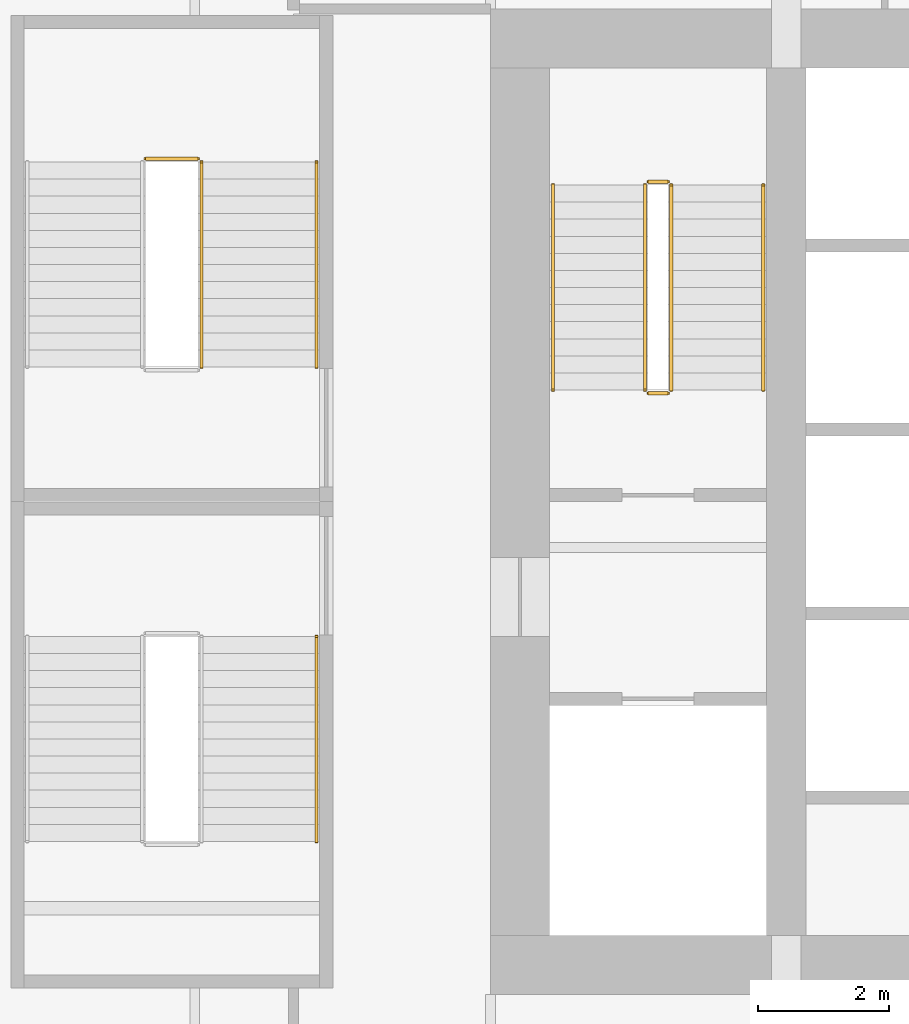
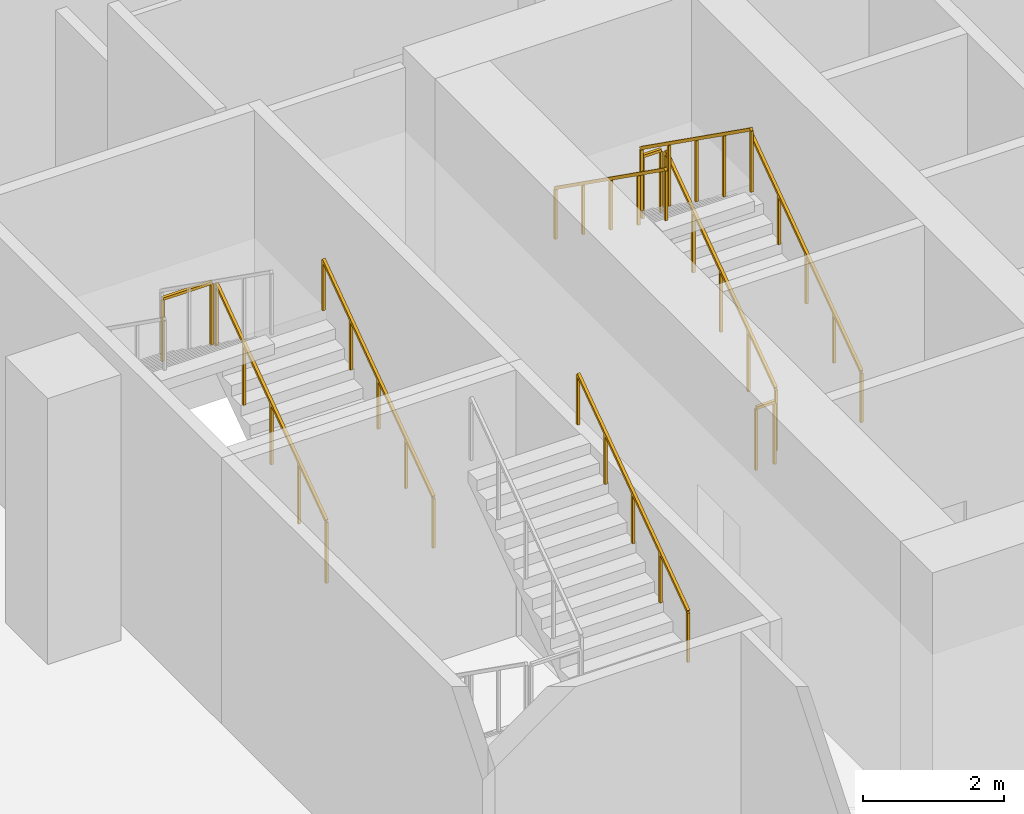
# One storey, part 26 of 28: 10 railings.
"""IFC4 building model written with IfcOpenShell, lengths in metres."""

from ifc_helpers import new_model, si_unit, direction, frame, origin, origin_2d, place, context, subcontext, project, spatial, rectangle, extrude, material, type_object, element, save


model = new_model("IFC4")

# Units and contexts
model_context = context("Model", 3, precision=1e-05, world=origin(), true_north=direction((0.0, 1.0)))
body_context = subcontext(model_context, "Body", "Model", "MODEL_VIEW")
ifc_project = project(units=[si_unit("LENGTHUNIT", "METRE"), si_unit("AREAUNIT", "SQUARE_METRE"), si_unit("VOLUMEUNIT", "CUBIC_METRE"), si_unit("PLANEANGLEUNIT", "RADIAN"), si_unit("MASSUNIT", "GRAM", prefix="KILO")], contexts=[model_context])

# Site, building, storey
site_placement = place(None, origin())
site = spatial("IfcSite", under=ifc_project, at=site_placement, CompositionType="ELEMENT")
building_placement = place(site_placement, origin())
building = spatial("IfcBuilding", under=site, at=building_placement, Name="Rattan Terrace Tower", CompositionType="ELEMENT")
storey_placement = place(building_placement, frame((0.0, 0.0, 17.39990234375)))
storey = spatial("IfcBuildingStorey", under=building, at=storey_placement, Name="L03", CompositionType="ELEMENT", Elevation=17.39990234375)

# Railings
ifc_material_1 = material(Name="Powder-coated steel guard", Category="steel")
railing_type_1 = type_object("IfcRailingType", Name="Core stair guard", PredefinedType="GUARDRAIL", material=ifc_material_1)
railing_1_placement = place(storey_placement, frame((-15.25, 1.699951171875, 0.184814453125)))
element("IfcRailing", 1, at=railing_1_placement, inside=storey, type_object=railing_type_1, Name="L03 S1 stair guard 1", PredefinedType="GUARDRAIL", context=body_context, shape_type="SweptSolid", body=[
    extrude(rectangle(XDim=0.048095703125, YDim=0.048095703125, at=origin_2d()), frame((0.0, 0.0, 1.076171875), z_axis=(0.0, 0.815376961211, 0.578930402662), x_axis=(-1.0, 0.0, 0.0)), (0.0, 0.0, 1.0), 3.82666015625),
    extrude(rectangle(XDim=0.0419921875, YDim=0.0419921875, at=origin_2d()), origin(), (0.0, 0.0, 1.0), 1.052001953125),
    extrude(rectangle(XDim=0.0419921875, YDim=0.0419921875, at=origin_2d()), frame((0.0, 0.780029296875, 0.5537109375)), (0.0, 0.0, 1.0), 1.052001953125),
    extrude(rectangle(XDim=0.0419921875, YDim=0.0419921875, at=origin_2d()), frame((0.0, 1.56005859375, 1.107666015625)), (0.0, 0.0, 1.0), 1.052001953125),
    extrude(rectangle(XDim=0.0419921875, YDim=0.0419921875, at=origin_2d()), frame((0.0, 2.340087890625, 1.66162109375)), (0.0, 0.0, 1.0), 1.052001953125),
    extrude(rectangle(XDim=0.0419921875, YDim=0.0419921875, at=origin_2d()), frame((0.0, 3.1201171875, 2.21533203125)), (0.0, 0.0, 1.0), 1.052001953125),
])
railing_2_placement = place(storey_placement, frame((-15.300048828125, 4.8701171875, 2.400146484375)))
element("IfcRailing", 2, at=railing_2_placement, inside=storey, type_object=railing_type_1, Name="L03 S1 stair guard 2", PredefinedType="GUARDRAIL", context=body_context, shape_type="SweptSolid", body=[
    extrude(rectangle(XDim=0.048095703125, YDim=0.048095703125, at=origin_2d()), frame((0.0, 0.0, 1.076171875), z_axis=(-1.0, 0.0, 0.0), x_axis=(0.0, -1.0, 0.0)), (0.0, 0.0, 1.0), 0.300048828125),
    extrude(rectangle(XDim=0.0419921875, YDim=0.0419921875, at=origin_2d()), origin(), (0.0, 0.0, 1.0), 1.052001953125),
    extrude(rectangle(XDim=0.0419921875, YDim=0.0419921875, at=origin_2d()), frame((-0.300048828125, 0.0, 0.0)), (0.0, 0.0, 1.0), 1.052001953125),
])
railing_3_placement = place(storey_placement, frame((-15.64990234375, 4.820068359375, 2.584716796875)))
element("IfcRailing", 3, at=railing_3_placement, inside=storey, type_object=railing_type_1, Name="L03 S1 stair guard 3", PredefinedType="GUARDRAIL", context=body_context, shape_type="SweptSolid", body=[
    extrude(rectangle(XDim=0.048095703125, YDim=0.048095703125, at=origin_2d()), frame((0.0, 0.0, 1.076171875), z_axis=(0.0, -0.815376961211, 0.578930402662), x_axis=(1.0, 0.0, 0.0)), (0.0, 0.0, 1.0), 3.82666015625),
    extrude(rectangle(XDim=0.0419921875, YDim=0.0419921875, at=origin_2d()), origin(), (0.0, 0.0, 1.0), 1.052001953125),
    extrude(rectangle(XDim=0.0419921875, YDim=0.0419921875, at=origin_2d()), frame((0.0, -0.780029296875, 0.5537109375)), (0.0, 0.0, 1.0), 1.052001953125),
    extrude(rectangle(XDim=0.0419921875, YDim=0.0419921875, at=origin_2d()), frame((0.0, -1.56005859375, 1.107666015625)), (0.0, 0.0, 1.0), 1.052001953125),
    extrude(rectangle(XDim=0.0419921875, YDim=0.0419921875, at=origin_2d()), frame((0.0, -2.340087890625, 1.66162109375)), (0.0, 0.0, 1.0), 1.052001953125),
    extrude(rectangle(XDim=0.0419921875, YDim=0.0419921875, at=origin_2d()), frame((0.0, -3.1201171875, 2.21533203125)), (0.0, 0.0, 1.0), 1.052001953125),
])
railing_4_placement = place(storey_placement, frame((-15.300048828125, 1.64990234375, 0.0)))
element("IfcRailing", 4, at=railing_4_placement, inside=storey, type_object=railing_type_1, Name="L03 S1 stair guard 4", PredefinedType="GUARDRAIL", context=body_context, shape_type="SweptSolid", body=[
    extrude(rectangle(XDim=0.048095703125, YDim=0.048095703125, at=origin_2d()), frame((0.0, 0.0, 1.076171875), z_axis=(-1.0, 0.0, 0.0), x_axis=(0.0, -1.0, 0.0)), (0.0, 0.0, 1.0), 0.300048828125),
    extrude(rectangle(XDim=0.0419921875, YDim=0.0419921875, at=origin_2d()), origin(), (0.0, 0.0, 1.0), 1.052001953125),
    extrude(rectangle(XDim=0.0419921875, YDim=0.0419921875, at=origin_2d()), frame((-0.300048828125, 0.0, 0.0)), (0.0, 0.0, 1.0), 1.052001953125),
])
railing_5_placement = place(storey_placement, frame((-22.39990234375, 2.050048828125, 0.184814453125)))
element("IfcRailing", 5, at=railing_5_placement, inside=storey, type_object=railing_type_1, Name="L03 S5 stair guard 1", PredefinedType="GUARDRAIL", context=body_context, shape_type="SweptSolid", body=[
    extrude(rectangle(XDim=0.048095703125, YDim=0.048095703125, at=origin_2d()), frame((0.0, 0.0, 1.076171875), z_axis=(0.0, 0.815355575968, 0.57896052088), x_axis=(-1.0, 0.0, 0.0)), (0.0, 0.0, 1.0), 3.826416015625),
    extrude(rectangle(XDim=0.0419921875, YDim=0.0419921875, at=origin_2d()), origin(), (0.0, 0.0, 1.0), 1.052001953125),
    extrude(rectangle(XDim=0.0419921875, YDim=0.0419921875, at=origin_2d()), frame((0.0, 0.780029296875, 0.5537109375)), (0.0, 0.0, 1.0), 1.052001953125),
    extrude(rectangle(XDim=0.0419921875, YDim=0.0419921875, at=origin_2d()), frame((0.0, 1.56005859375, 1.107666015625)), (0.0, 0.0, 1.0), 1.052001953125),
    extrude(rectangle(XDim=0.0419921875, YDim=0.0419921875, at=origin_2d()), frame((0.0, 2.33984375, 1.66162109375)), (0.0, 0.0, 1.0), 1.052001953125),
    extrude(rectangle(XDim=0.0419921875, YDim=0.0419921875, at=origin_2d()), frame((0.0, 3.119873046875, 2.21533203125)), (0.0, 0.0, 1.0), 1.052001953125),
])
railing_6_placement = place(storey_placement, frame((-22.449951171875, 5.219970703125, 2.400146484375)))
element("IfcRailing", 6, at=railing_6_placement, inside=storey, type_object=railing_type_1, Name="L03 S5 stair guard 2", PredefinedType="GUARDRAIL", context=body_context, shape_type="SweptSolid", body=[
    extrude(rectangle(XDim=0.048095703125, YDim=0.048095703125, at=origin_2d()), frame((0.0, 0.0, 1.076171875), z_axis=(-1.0, 0.0, 0.0), x_axis=(0.0, -1.0, 0.0)), (0.0, 0.0, 1.0), 0.800048828125),
    extrude(rectangle(XDim=0.0419921875, YDim=0.0419921875, at=origin_2d()), origin(), (0.0, 0.0, 1.0), 1.052001953125),
    extrude(rectangle(XDim=0.0419921875, YDim=0.0419921875, at=origin_2d()), frame((-0.800048828125, 0.0, 0.0)), (0.0, 0.0, 1.0), 1.052001953125),
])
ifc_material_2 = material(Name="Powder-coated steel handrail", Category="steel")
railing_type_2 = type_object("IfcRailingType", Name="Core stair handrail", PredefinedType="HANDRAIL", material=ifc_material_2)
railing_7_placement = place(storey_placement, frame((-13.85009765625, 1.699951171875, 0.184814453125)))
element("IfcRailing", 7, at=railing_7_placement, inside=storey, type_object=railing_type_2, Name="L03 S1 stair handrail 1", PredefinedType="HANDRAIL", context=body_context, shape_type="SweptSolid", body=[
    extrude(rectangle(XDim=0.048095703125, YDim=0.048095703125, at=origin_2d()), frame((0.0, 0.0, 0.8759765625), z_axis=(0.0, 0.815376961211, 0.578930402662), x_axis=(-1.0, 0.0, 0.0)), (0.0, 0.0, 1.0), 3.82666015625),
    extrude(rectangle(XDim=0.0419921875, YDim=0.0419921875, at=origin_2d()), origin(), (0.0, 0.0, 1.0), 0.851806640625),
    extrude(rectangle(XDim=0.0419921875, YDim=0.0419921875, at=origin_2d()), frame((0.0, 0.780029296875, 0.5537109375)), (0.0, 0.0, 1.0), 0.851806640625),
    extrude(rectangle(XDim=0.0419921875, YDim=0.0419921875, at=origin_2d()), frame((0.0, 1.56005859375, 1.107666015625)), (0.0, 0.0, 1.0), 0.851806640625),
    extrude(rectangle(XDim=0.0419921875, YDim=0.0419921875, at=origin_2d()), frame((0.0, 2.340087890625, 1.66162109375)), (0.0, 0.0, 1.0), 0.851806640625),
    extrude(rectangle(XDim=0.0419921875, YDim=0.0419921875, at=origin_2d()), frame((0.0, 3.1201171875, 2.21533203125)), (0.0, 0.0, 1.0), 0.851806640625),
])
railing_8_placement = place(storey_placement, frame((-17.050048828125, 4.820068359375, 2.584716796875)))
element("IfcRailing", 8, at=railing_8_placement, inside=storey, type_object=railing_type_2, Name="L03 S1 stair handrail 2", PredefinedType="HANDRAIL", context=body_context, shape_type="SweptSolid", body=[
    extrude(rectangle(XDim=0.048095703125, YDim=0.048095703125, at=origin_2d()), frame((0.0, 0.0, 0.8759765625), z_axis=(0.0, -0.815376961211, 0.578930402662), x_axis=(1.0, 0.0, 0.0)), (0.0, 0.0, 1.0), 3.82666015625),
    extrude(rectangle(XDim=0.0419921875, YDim=0.0419921875, at=origin_2d()), origin(), (0.0, 0.0, 1.0), 0.851806640625),
    extrude(rectangle(XDim=0.0419921875, YDim=0.0419921875, at=origin_2d()), frame((0.0, -0.780029296875, 0.5537109375)), (0.0, 0.0, 1.0), 0.851806640625),
    extrude(rectangle(XDim=0.0419921875, YDim=0.0419921875, at=origin_2d()), frame((0.0, -1.56005859375, 1.107666015625)), (0.0, 0.0, 1.0), 0.851806640625),
    extrude(rectangle(XDim=0.0419921875, YDim=0.0419921875, at=origin_2d()), frame((0.0, -2.340087890625, 1.66162109375)), (0.0, 0.0, 1.0), 0.851806640625),
    extrude(rectangle(XDim=0.0419921875, YDim=0.0419921875, at=origin_2d()), frame((0.0, -3.1201171875, 2.21533203125)), (0.0, 0.0, 1.0), 0.851806640625),
])
for number, where, name in (
    (9, (-20.64990234375, -5.169921875, 2.584716796875), "L03 S4 stair handrail 2"),
    (10, (-20.64990234375, 2.050048828125, 0.184814453125), "L03 S5 stair handrail 1"),
):
    element("IfcRailing", number, at=place(storey_placement, frame(where)), inside=storey, type_object=railing_type_2, Name=name, PredefinedType="HANDRAIL", context=body_context, shape_type="SweptSolid", body=[
        extrude(rectangle(XDim=0.048095703125, YDim=0.048095703125, at=origin_2d()), frame((0.0, 0.0, 0.8759765625), z_axis=(0.0, 0.815355575968, 0.57896052088), x_axis=(-1.0, 0.0, 0.0)), (0.0, 0.0, 1.0), 3.826416015625),
        extrude(rectangle(XDim=0.0419921875, YDim=0.0419921875, at=origin_2d()), origin(), (0.0, 0.0, 1.0), 0.851806640625),
        extrude(rectangle(XDim=0.0419921875, YDim=0.0419921875, at=origin_2d()), frame((0.0, 0.780029296875, 0.5537109375)), (0.0, 0.0, 1.0), 0.851806640625),
        extrude(rectangle(XDim=0.0419921875, YDim=0.0419921875, at=origin_2d()), frame((0.0, 1.56005859375, 1.107666015625)), (0.0, 0.0, 1.0), 0.851806640625),
        extrude(rectangle(XDim=0.0419921875, YDim=0.0419921875, at=origin_2d()), frame((0.0, 2.33984375, 1.66162109375)), (0.0, 0.0, 1.0), 0.851806640625),
        extrude(rectangle(XDim=0.0419921875, YDim=0.0419921875, at=origin_2d()), frame((0.0, 3.119873046875, 2.21533203125)), (0.0, 0.0, 1.0), 0.851806640625),
    ])

save(model, "model.ifc")
